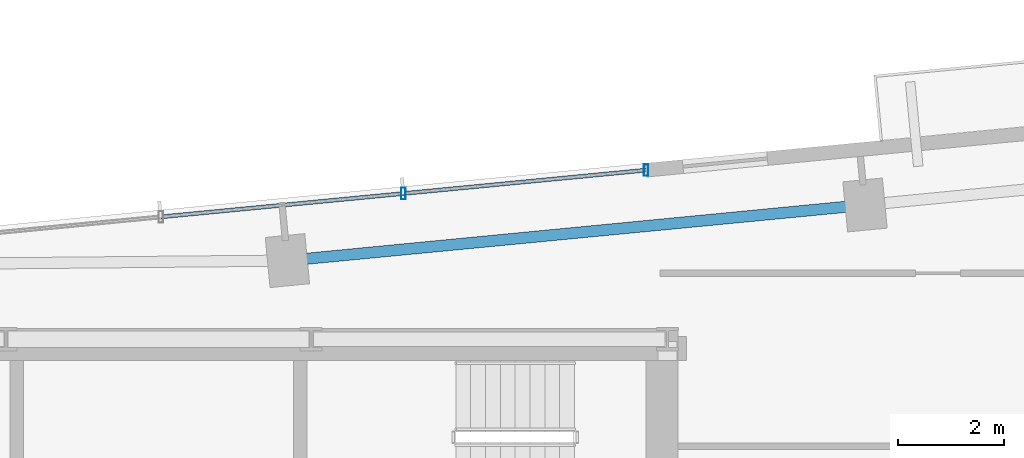
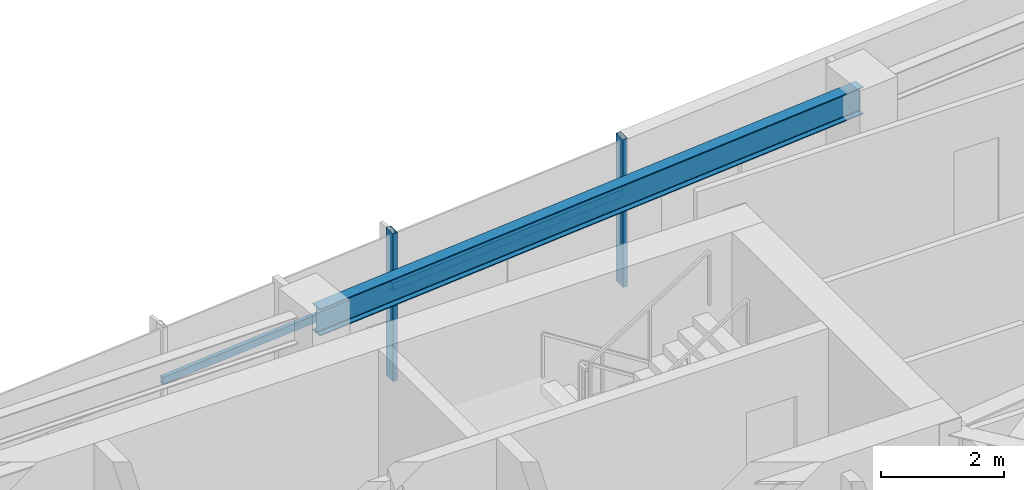
# One storey, part 7 of 18: 4 members, 1 beam, 1 element without a shape of its own.
"""IFC4 building model written with IfcOpenShell, lengths in metres."""

from ifc_helpers import new_model, si_unit, direction, frame, origin, origin_2d, place, context, subcontext, project, spatial, hollow_rectangle, i_section, extrude, source, transform, mapped, material, material_profile, profile_set, type_object, type_shapes, element, aggregate, save


model = new_model("IFC4")

# Units and contexts
model_context = context("Model", 3, precision=1e-05, world=origin(), true_north=direction((0.0, 1.0)))
body_context = subcontext(model_context, "Body", "Model", "MODEL_VIEW")
ifc_project = project(units=[si_unit("LENGTHUNIT", "METRE"), si_unit("AREAUNIT", "SQUARE_METRE"), si_unit("VOLUMEUNIT", "CUBIC_METRE"), si_unit("PLANEANGLEUNIT", "RADIAN"), si_unit("MASSUNIT", "GRAM", prefix="KILO")], contexts=[model_context])

# Site, building, storey
site_placement = place(None, origin())
site = spatial("IfcSite", under=ifc_project, at=site_placement, CompositionType="ELEMENT")
building_placement = place(site_placement, origin())
building = spatial("IfcBuilding", under=site, at=building_placement, Name="Astriad Promenade Condominiums", CompositionType="ELEMENT")
storey_placement = place(building_placement, frame((0.0, 0.0, 176.199951171875)))
storey = spatial("IfcBuildingStorey", under=building, at=storey_placement, Name="L50", CompositionType="ELEMENT", Elevation=176.199951171875)

# Beam
ifc_material_1 = material(Name="Steel ASTM A992 Grade 50", Category="steel")
ifc_material_profile_1 = material_profile(ifc_material_1, i_section(OverallWidth=0.210693359375, OverallDepth=0.53955078125, WebThickness=0.01171875, FlangeThickness=0.018798828125, FilletRadius=0.0166015625, at=origin_2d()), Name="W21X73")
ifc_profile_set_1 = profile_set([ifc_material_profile_1], Name="Steel ASTM A992 Grade 50")
beam_type = type_object("IfcBeamType", Name="STEEL SPANDREL BEAM W21X73", PredefinedType="SPANDREL", material=ifc_profile_set_1)
shared_shape_1 = source(origin(), body_context, "Body", "SweptSolid", [
    extrude(i_section(OverallWidth=0.210693359375, OverallDepth=0.53955078125, WebThickness=0.01171875, FlangeThickness=0.018798828125, FilletRadius=0.0166015625, at=origin_2d()), origin(), (0.0, 0.0, 1.0), 10.869873046875),
])
type_shapes(beam_type, [shared_shape_1])
beam_placement = place(storey_placement, frame((49.291015625, 26.52880859375, 2.670166015625), z_axis=(-0.995394779798, -0.09586048378, 0.0), x_axis=(0.09586048378, -0.995394779798, 0.0)))
element("IfcBeam", 1, at=beam_placement, inside=storey, type_object=beam_type, Name="Perimeter Spandrel Beam SP-N3-L50", PredefinedType="SPANDREL", context=body_context, shape_type="MappedRepresentation", body=[
    mapped(shared_shape_1, transform((0.0, 0.0, 0.0), scale=1.0)),
])

# Curtain wall, members
ifc_material_2 = material(Name="Anodised aluminium Black Dark Glass Unitised", Category="aluminium")
curtain_wall_type = type_object("IfcCurtainWallType", Name="CW-B34-DARK", PredefinedType="USERDEFINED", material=ifc_material_2)
curtain_wall_placement = place(storey_placement, origin())
curtain_wall = element("IfcCurtainWall", 2, at=curtain_wall_placement, inside=storey, type_object=curtain_wall_type, Name="CW-L50-N", ObjectType="UNITISED_CURTAIN_WALL", PredefinedType="USERDEFINED")
ifc_material_3 = material(Name="Anodised aluminium 6063-T6 Black", Category="aluminium")
ifc_material_profile_2 = material_profile(ifc_material_3, hollow_rectangle(XDim=0.0849609375, YDim=0.219970703125, WallThickness=0.0048828125, at=origin_2d()), Name="ALU-MUL-85X220")
ifc_profile_set_2 = profile_set([ifc_material_profile_2], Name="Anodised aluminium 6063-T6 Black")
member_type_1 = type_object("IfcMemberType", Name="MUL-ALU-MUL-85X220", PredefinedType="MULLION", material=ifc_profile_set_2)
shared_shape_2 = source(origin(), body_context, "Body", "SweptSolid", [
    extrude(hollow_rectangle(XDim=0.0849609375, YDim=0.219970703125, WallThickness=0.0048828125, at=origin_2d()), origin(), (0.0, 0.0, 1.0), 2.93994140625),
])
type_shapes(member_type_1, [shared_shape_2])
member_1_placement = place(storey_placement, frame((40.6201171875, 26.748779296875, 0.0), z_axis=(0.0, 0.0, 1.0), x_axis=(1.0, 0.0, 0.0)))
member_1 = element("IfcMember", 3, at=member_1_placement, type_object=member_type_1, Name="CW-L50-N-MUL-02", PredefinedType="MULLION", context=body_context, shape_type="MappedRepresentation", body=[
    mapped(shared_shape_2, transform((0.0, 0.0, 0.0), scale=1.0)),
])
member_2_placement = place(storey_placement, frame((45.198974609375, 27.189697265625, 0.0), z_axis=(0.0, 0.0, 1.0), x_axis=(1.0, 0.0, 0.0)))
member_2 = element("IfcMember", 4, at=member_2_placement, type_object=member_type_1, Name="CW-L50-N-MUL-03", PredefinedType="MULLION", context=body_context, shape_type="MappedRepresentation", body=[
    mapped(shared_shape_2, transform((0.0, 0.0, 0.0), scale=1.0)),
])
ifc_material_profile_3 = material_profile(ifc_material_3, hollow_rectangle(XDim=0.074951171875, YDim=0.14990234375, WallThickness=0.004150390625, at=origin_2d()), Name="ALU-TRN-75X150")
ifc_profile_set_3 = profile_set([ifc_material_profile_3], Name="Anodised aluminium 6063-T6 Black")
member_type_2 = type_object("IfcMemberType", Name="TRN-ALU-TRN-75X150", PredefinedType="USERDEFINED", material=ifc_profile_set_3)
shared_shape_3 = source(origin(), body_context, "Body", "SweptSolid", [
    extrude(hollow_rectangle(XDim=0.074951171875, YDim=0.14990234375, WallThickness=0.004150390625, at=origin_2d()), origin(), (0.0, 0.0, 1.0), 4.60009765625),
])
type_shapes(member_type_2, [shared_shape_3])
member_3_placement = place(storey_placement, frame((36.041259765625, 26.307861328125, 1.82275390625), z_axis=(0.995395697572, 0.095850953336, 0.0), x_axis=(-0.095850953336, 0.995395697572, 0.0)))
member_3 = element("IfcMember", 5, at=member_3_placement, type_object=member_type_2, Name="CW-L50-N-TRN-01-0", ObjectType="TRANSOM", PredefinedType="USERDEFINED", context=body_context, shape_type="MappedRepresentation", body=[
    mapped(shared_shape_3, transform((0.0, 0.0, 0.0), scale=1.0)),
])
member_4_placement = place(storey_placement, frame((40.6201171875, 26.748779296875, 1.82275390625), z_axis=(0.995395697572, 0.095850953336, 0.0), x_axis=(-0.095850953336, 0.995395697572, 0.0)))
member_4 = element("IfcMember", 6, at=member_4_placement, type_object=member_type_2, Name="CW-L50-N-TRN-02-0", ObjectType="TRANSOM", PredefinedType="USERDEFINED", context=body_context, shape_type="MappedRepresentation", body=[
    mapped(shared_shape_3, transform((0.0, 0.0, 0.0), scale=1.0)),
])
aggregate(curtain_wall, [member_1, member_2, member_3, member_4])

save(model, "model.ifc")
